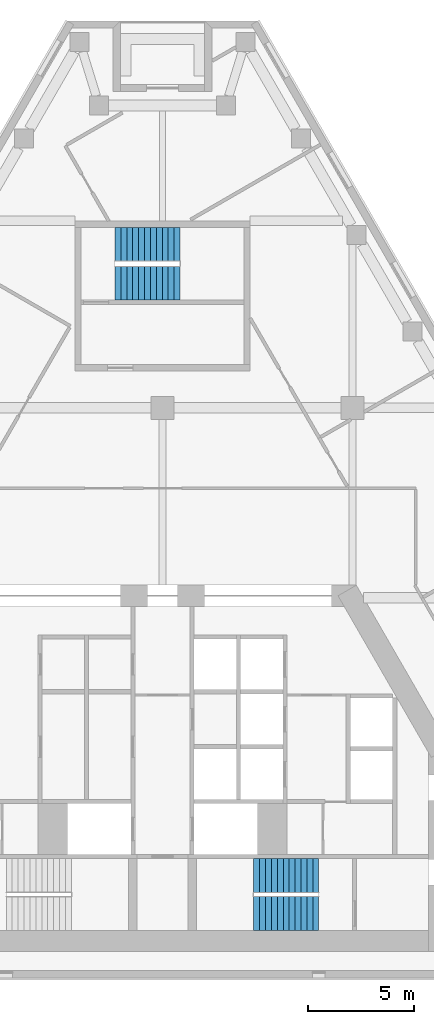
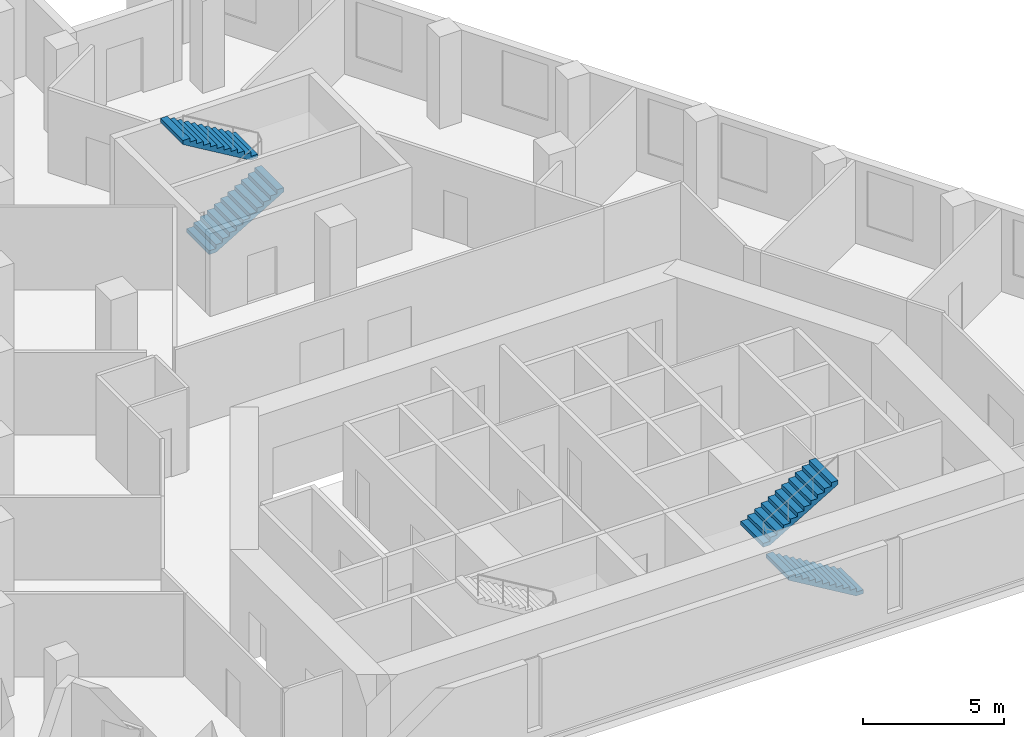
# One storey, part 6 of 7: 4 stair flights, 2 elements without a shape of their own.
"""IFC4 building model written with IfcOpenShell, lengths in metres."""

from ifc_helpers import new_model, si_unit, direction, frame, origin, place, context, subcontext, project, spatial, polyline, outline, extrude, material, type_object, element, aggregate, save


model = new_model("IFC4")

# Units and contexts
model_context = context("Model", 3, precision=1e-05, world=origin(), true_north=direction((0.0, 1.0)))
body_context = subcontext(model_context, "Body", "Model", "MODEL_VIEW")
ifc_project = project(units=[si_unit("LENGTHUNIT", "METRE"), si_unit("AREAUNIT", "SQUARE_METRE"), si_unit("VOLUMEUNIT", "CUBIC_METRE"), si_unit("PLANEANGLEUNIT", "RADIAN"), si_unit("MASSUNIT", "GRAM", prefix="KILO")], contexts=[model_context])

# Site, building, storey
site_placement = place(None, origin())
site = spatial("IfcSite", under=ifc_project, at=site_placement, CompositionType="ELEMENT")
building_placement = place(site_placement, origin())
building = spatial("IfcBuilding", under=site, at=building_placement, Name="Fogline Exchange Tower", CompositionType="ELEMENT")
storey_placement = place(building_placement, frame((0.0, 0.0, 247.5)))
storey = spatial("IfcBuildingStorey", under=building, at=storey_placement, Name="L56", CompositionType="ELEMENT", Elevation=247.5)

# Stair, stair flights
ifc_material = material(Name="Concrete C40", Category="concrete")
stair_type = type_object("IfcStairType", Name="STR24-1667", PredefinedType="HALF_TURN_STAIR", material=ifc_material)
stair_1_placement = place(storey_placement, origin())
stair_1 = element("IfcStair", 1, at=stair_1_placement, inside=storey, type_object=stair_type, Name="Stair ST2", PredefinedType="HALF_TURN_STAIR")
stair_flight_type = type_object("IfcStairFlightType", Name="SF12-1667", PredefinedType="STRAIGHT", material=ifc_material)
stair_flight_1_placement = place(storey_placement, frame((7.39990234375, 3.050048828125, 0.0), z_axis=(0.0, 0.0, 1.0), x_axis=(-1.0, 0.0, 0.0)))
stair_flight_1 = element("IfcStairFlight", 2, at=stair_flight_1_placement, type_object=stair_flight_type, Name="ST2 flight 1", NumberOfRisers=12, NumberOfTreads=11, PredefinedType="STRAIGHT", RiserHeight=0.166666667, TreadLength=0.28, context=body_context, shape_type="SweptSolid", body=[
    extrude(outline(polyline([(0.0, 0.0), (0.0, 0.166748046875), (0.280029296875, 0.166748046875), (0.280029296875, 0.333251953125), (0.56005859375, 0.333251953125), (0.56005859375, 0.5), (0.840087890625, 0.5), (0.840087890625, 0.666748046875), (1.1201171875, 0.666748046875), (1.1201171875, 0.833251953125), (1.39990234375, 0.833251953125), (1.39990234375, 1.0), (1.679931640625, 1.0), (1.679931640625, 1.166748046875), (1.9599609375, 1.166748046875), (1.9599609375, 1.333251953125), (2.239990234375, 1.333251953125), (2.239990234375, 1.5), (2.52001953125, 1.5), (2.52001953125, 1.666748046875), (2.800048828125, 1.666748046875), (2.800048828125, 1.833251953125), (3.080078125, 1.833251953125), (3.080078125, 2.0), (3.080078125, 1.658935546875), (0.29296875, 0.0), (0.0, 0.0)])), frame((0.0, 0.800048828125, 0.0), z_axis=(0.0, -1.0, 0.0), x_axis=(1.0, 0.0, 0.0)), (0.0, 0.0, 1.0), 1.60009765625),
])
stair_flight_2_placement = place(storey_placement, frame((4.320068359375, 4.85009765625, 2.0), z_axis=(0.0, 0.0, 1.0), x_axis=(1.0, 0.0, 0.0)))
stair_flight_2 = element("IfcStairFlight", 3, at=stair_flight_2_placement, type_object=stair_flight_type, Name="ST2 flight 2", NumberOfRisers=12, NumberOfTreads=11, PredefinedType="STRAIGHT", RiserHeight=0.166666667, TreadLength=0.28, context=body_context, shape_type="SweptSolid", body=[
    extrude(outline(polyline([(0.0, 0.0), (0.0, 0.166748046875), (0.280029296875, 0.166748046875), (0.280029296875, 0.333251953125), (0.56005859375, 0.333251953125), (0.56005859375, 0.5), (0.840087890625, 0.5), (0.840087890625, 0.666748046875), (1.1201171875, 0.666748046875), (1.1201171875, 0.833251953125), (1.39990234375, 0.833251953125), (1.39990234375, 1.0), (1.679931640625, 1.0), (1.679931640625, 1.166748046875), (1.9599609375, 1.166748046875), (1.9599609375, 1.333251953125), (2.239990234375, 1.333251953125), (2.239990234375, 1.5), (2.52001953125, 1.5), (2.52001953125, 1.666748046875), (2.800048828125, 1.666748046875), (2.800048828125, 1.833251953125), (3.080078125, 1.833251953125), (3.080078125, 2.0), (3.080078125, 1.658935546875), (0.29296875, 0.0), (0.0, 0.0)])), frame((0.0, 0.800048828125, 0.0), z_axis=(0.0, -1.0, 0.0), x_axis=(1.0, 0.0, 0.0)), (0.0, 0.0, 1.0), 1.60009765625),
])
aggregate(stair_1, [stair_flight_1, stair_flight_2])

stair_2_placement = place(storey_placement, origin())
stair_2 = element("IfcStair", 4, at=stair_2_placement, inside=storey, type_object=stair_type, Name="Stair ST3", PredefinedType="HALF_TURN_STAIR")
stair_flight_3_placement = place(storey_placement, frame((-2.25, 32.906982421875, 0.0), z_axis=(0.0, 0.0, 1.0), x_axis=(1.0, 0.0, 0.0)))
stair_flight_3 = element("IfcStairFlight", 5, at=stair_flight_3_placement, type_object=stair_flight_type, Name="ST3 flight 1", NumberOfRisers=12, NumberOfTreads=11, PredefinedType="STRAIGHT", RiserHeight=0.166666667, TreadLength=0.28, context=body_context, shape_type="SweptSolid", body=[
    extrude(outline(polyline([(0.0, 0.0), (0.0, 0.166748046875), (0.280029296875, 0.166748046875), (0.280029296875, 0.333251953125), (0.56005859375, 0.333251953125), (0.56005859375, 0.5), (0.840087890625, 0.5), (0.840087890625, 0.666748046875), (1.1201171875, 0.666748046875), (1.1201171875, 0.833251953125), (1.39990234375, 0.833251953125), (1.39990234375, 1.0), (1.679931640625, 1.0), (1.679931640625, 1.166748046875), (1.9599609375, 1.166748046875), (1.9599609375, 1.333251953125), (2.239990234375, 1.333251953125), (2.239990234375, 1.5), (2.52001953125, 1.5), (2.52001953125, 1.666748046875), (2.800048828125, 1.666748046875), (2.800048828125, 1.833251953125), (3.080078125, 1.833251953125), (3.080078125, 2.0), (3.080078125, 1.658935546875), (0.29296875, 0.0), (0.0, 0.0)])), frame((0.0, 0.800048828125, 0.0), z_axis=(0.0, -1.0, 0.0), x_axis=(1.0, 0.0, 0.0)), (0.0, 0.0, 1.0), 1.60009765625),
])
stair_flight_4_placement = place(storey_placement, frame((0.830078125, 34.757080078125, 2.0), z_axis=(0.0, 0.0, 1.0), x_axis=(-1.0, 0.0, 0.0)))
stair_flight_4 = element("IfcStairFlight", 6, at=stair_flight_4_placement, type_object=stair_flight_type, Name="ST3 flight 2", NumberOfRisers=12, NumberOfTreads=11, PredefinedType="STRAIGHT", RiserHeight=0.166666667, TreadLength=0.28, context=body_context, shape_type="SweptSolid", body=[
    extrude(outline(polyline([(0.0, 0.0), (0.0, 0.166748046875), (0.280029296875, 0.166748046875), (0.280029296875, 0.333251953125), (0.56005859375, 0.333251953125), (0.56005859375, 0.5), (0.840087890625, 0.5), (0.840087890625, 0.666748046875), (1.1201171875, 0.666748046875), (1.1201171875, 0.833251953125), (1.39990234375, 0.833251953125), (1.39990234375, 1.0), (1.679931640625, 1.0), (1.679931640625, 1.166748046875), (1.9599609375, 1.166748046875), (1.9599609375, 1.333251953125), (2.239990234375, 1.333251953125), (2.239990234375, 1.5), (2.52001953125, 1.5), (2.52001953125, 1.666748046875), (2.800048828125, 1.666748046875), (2.800048828125, 1.833251953125), (3.080078125, 1.833251953125), (3.080078125, 2.0), (3.080078125, 1.658935546875), (0.29296875, 0.0), (0.0, 0.0)])), frame((0.0, 0.800048828125, 0.0), z_axis=(0.0, -1.0, 0.0), x_axis=(1.0, 0.0, 0.0)), (0.0, 0.0, 1.0), 1.60009765625),
])
aggregate(stair_2, [stair_flight_3, stair_flight_4])

save(model, "model.ifc")
